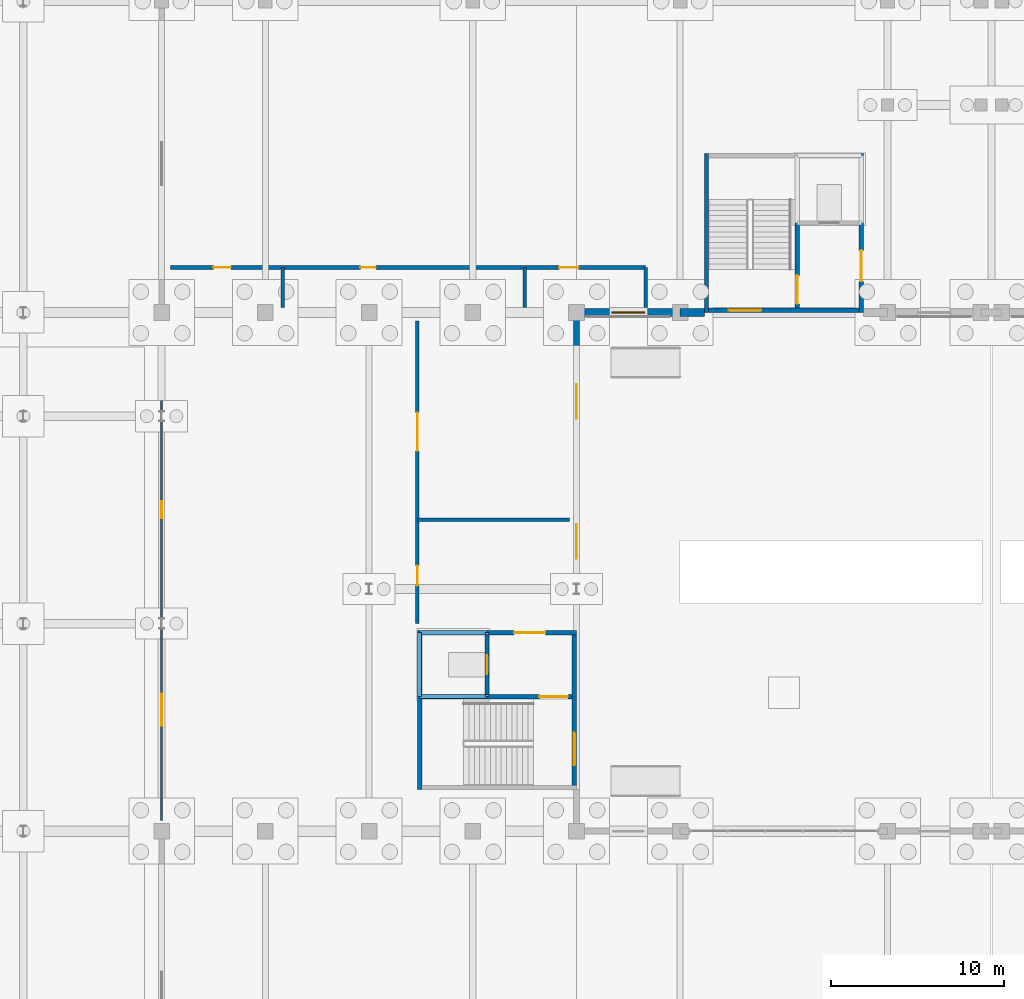
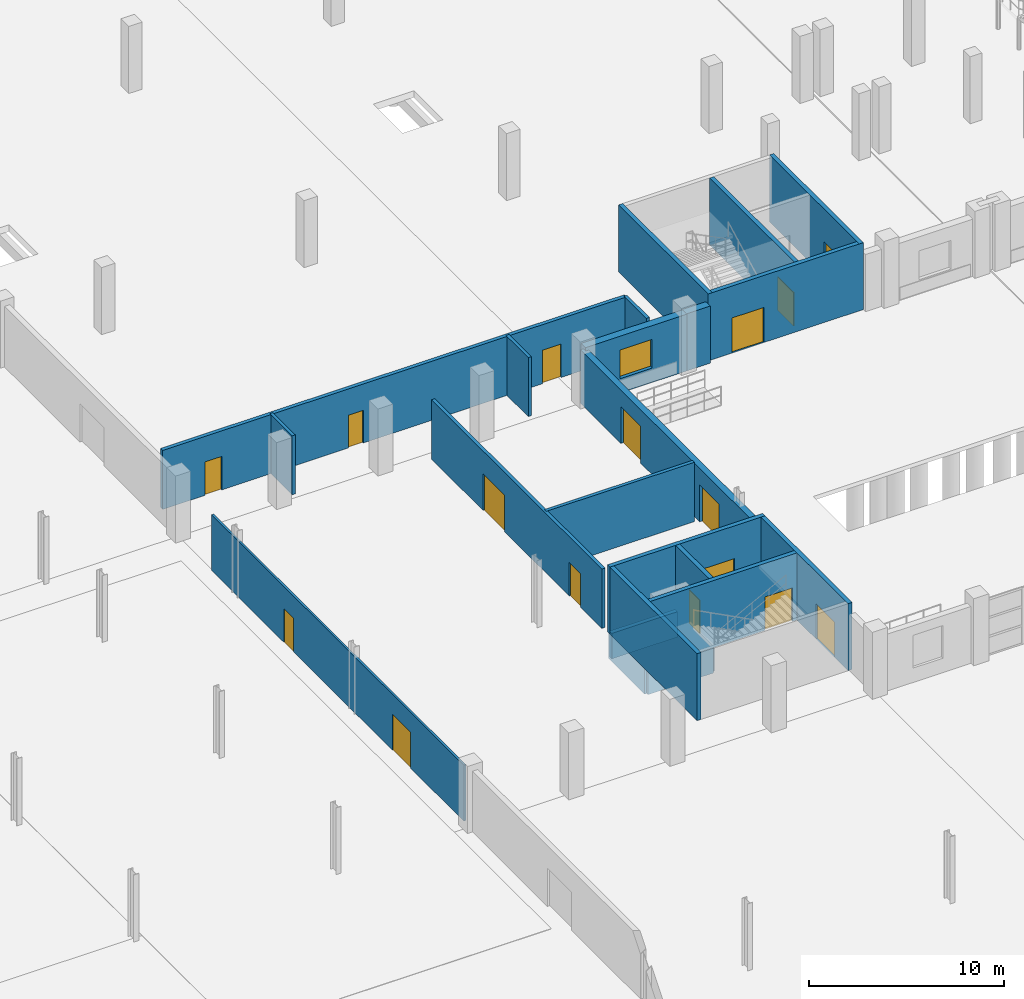
# One storey, part 57 of 77: 23 walls, 16 doors, 1 window, 17 openings.
"""IFC4 building model written with IfcOpenShell, lengths in metres."""

from ifc_helpers import new_model, si_unit, direction, frame, frame_2d, origin, place, context, subcontext, project, spatial, rectangle, extrude, material, layer, layer_set, type_object, element, fill, save


model = new_model("IFC4")

# Units and contexts
model_context = context("Model", 3, precision=1e-05, world=origin(), true_north=direction((0.0, 1.0)))
body_context = subcontext(model_context, "Body", "Model", "MODEL_VIEW")
ifc_project = project(units=[si_unit("LENGTHUNIT", "METRE"), si_unit("AREAUNIT", "SQUARE_METRE"), si_unit("VOLUMEUNIT", "CUBIC_METRE"), si_unit("PLANEANGLEUNIT", "RADIAN"), si_unit("MASSUNIT", "GRAM", prefix="KILO")], contexts=[model_context])

# Site, building, storey
site_placement = place(None, origin())
site = spatial("IfcSite", under=ifc_project, at=site_placement, CompositionType="ELEMENT")
building_placement = place(site_placement, origin())
building = spatial("IfcBuilding", under=site, at=building_placement, Name="Zilviju Railside Exhibition Hall", CompositionType="ELEMENT")
storey_placement = place(building_placement, origin())
storey = spatial("IfcBuildingStorey", under=building, at=storey_placement, Name="L01", CompositionType="ELEMENT", Elevation=0.0)

# Wall
ifc_material_1 = material(Name="Concrete C35/45", Category="concrete")
ifc_layer_1 = layer(ifc_material_1, 0.25)
ifc_layer_set_1 = layer_set([ifc_layer_1], Name="Concrete C35/45")
wall_type_1 = type_object("IfcWallType", Name="WL-CORE-250", PredefinedType="SHEAR", material=ifc_layer_set_1)
wall_1_placement = place(storey_placement, frame((109.52490234375, 84.0, 0.0), z_axis=(0.0, 0.0, 1.0), x_axis=(0.0, 1.0, 0.0)))
element("IfcWall", 1, at=wall_1_placement, inside=storey, type_object=wall_type_1, Name="Core C04 North Hall Court West Stairwell Outer Wall L01", PredefinedType="SHEAR", context=body_context, shape_type="SweptSolid", body=[
    extrude(rectangle(XDim=9.199951171875, YDim=0.25, at=frame_2d((4.60009765625, 0.0))), origin(), (0.0, 0.0, 1.0), 4.199951171875),
])

# Wall, opening, door
wall_2_placement = place(storey_placement, frame((118.47509765625, 84.0, 0.0), z_axis=(0.0, 0.0, 1.0), x_axis=(0.0, 1.0, 0.0)))
wall_2 = element("IfcWall", 2, at=wall_2_placement, inside=storey, type_object=wall_type_1, Name="Core C04 North Hall Court West Lobby Side Wall L01", PredefinedType="SHEAR", context=body_context, shape_type="SweptSolid", body=[
    extrude(rectangle(XDim=9.199951171875, YDim=0.25, at=frame_2d((4.60009765625, 0.0))), origin(), (0.0, 0.0, 1.0), 4.199951171875),
])
opening_1_placement = place(wall_2_placement, frame((1.800048828125, 0.0, 0.0)))
opening_1 = element("IfcOpeningElement", 3, at=opening_1_placement, cuts=wall_2, Name="Opening FD-02", PredefinedType="OPENING", context=body_context, shape_type="SweptSolid", body=[
    extrude(rectangle(XDim=1.800048828125, YDim=2.14990234375, at=frame_2d((0.89990234375, 1.074951171875))), frame((0.0, 0.135009765625, 0.0), z_axis=(0.0, -1.0, 0.0), x_axis=(1.0, 0.0, 0.0)), (0.0, 0.0, 1.0), 0.27001953125),
])
ifc_material_2 = material(Name="Self-closing glazed steel core lobby fire door EI 60", Category="steel")
door_type_1 = type_object("IfcDoorType", Name="DR-LOBBY-180x215", OperationType="NOTDEFINED", PredefinedType="DOOR", material=ifc_material_2)
door_1_placement = place(opening_1_placement, origin())
door_1 = element("IfcDoor", 4, at=door_1_placement, inside=storey, type_object=door_type_1, Name="Core C04 North Hall Court West Lobby Fire Door L01", OperationType="DOUBLE_DOOR_SINGLE_SWING", OverallHeight=2.14990234375, OverallWidth=1.800048828125, PredefinedType="DOOR", context=body_context, shape_type="SweptSolid", body=[
    extrude(rectangle(XDim=1.800048828125, YDim=2.14990234375, at=frame_2d((0.89990234375, 1.074951171875))), frame((0.0, 0.02490234375, 0.0), z_axis=(0.0, -1.0, 0.0), x_axis=(1.0, 0.0, 0.0)), (0.0, 0.0, 1.0), 0.050048828125),
])
fill(opening_1, door_1)

wall_3_placement = place(storey_placement, frame((114.77490234375, 84.25, 0.0), z_axis=(0.0, 0.0, 1.0), x_axis=(0.0, 1.0, 0.0)))
wall_3 = element("IfcWall", 5, at=wall_3_placement, inside=storey, type_object=wall_type_1, Name="Core C04 North Hall Court West Stairwell Partition Wall L01", PredefinedType="SHEAR", context=body_context, shape_type="SweptSolid", body=[
    extrude(rectangle(XDim=8.699951171875, YDim=0.25, at=frame_2d((4.35009765625, 0.0))), origin(), (0.0, 0.0, 1.0), 4.199951171875),
])
opening_2_placement = place(wall_3_placement, frame((0.25, 0.0, 0.0)))
opening_2 = element("IfcOpeningElement", 6, at=opening_2_placement, cuts=wall_3, Name="Opening FD-01", PredefinedType="OPENING", context=body_context, shape_type="SweptSolid", body=[
    extrude(rectangle(XDim=1.64990234375, YDim=2.10009765625, at=frame_2d((0.824951171875, 1.050048828125))), frame((0.0, 0.135009765625, 0.0), z_axis=(0.0, -1.0, 0.0), x_axis=(1.0, 0.0, 0.0)), (0.0, 0.0, 1.0), 0.27001953125),
])
ifc_material_3 = material(Name="Self-closing steel stair enclosure fire door EI 60", Category="steel")
door_type_2 = type_object("IfcDoorType", Name="DR-STAIR-165x210", OperationType="NOTDEFINED", PredefinedType="DOOR", material=ifc_material_3)
door_2_placement = place(opening_2_placement, origin())
door_2 = element("IfcDoor", 7, at=door_2_placement, inside=storey, type_object=door_type_2, Name="Core C04 North Hall Court West Protected Stair Door L01", OperationType="SINGLE_SWING_RIGHT", OverallHeight=2.10009765625, OverallWidth=1.64990234375, PredefinedType="DOOR", context=body_context, shape_type="SweptSolid", body=[
    extrude(rectangle(XDim=1.64990234375, YDim=2.10009765625, at=frame_2d((0.824951171875, 1.050048828125))), frame((0.0, 0.02490234375, 0.0), z_axis=(0.0, -1.0, 0.0), x_axis=(1.0, 0.0, 0.0)), (0.0, 0.0, 1.0), 0.050048828125),
])
fill(opening_2, door_2)

# Wall
wall_4_placement = place(storey_placement, frame((92.925048828125, 56.39990234375, 0.0), z_axis=(0.0, 0.0, 1.0), x_axis=(0.0, 1.0, 0.0)))
element("IfcWall", 8, at=wall_4_placement, inside=storey, type_object=wall_type_1, Name="Core C10 Winter Concourse Court Core Rear Wall L01", PredefinedType="SHEAR", context=body_context, shape_type="SweptSolid", body=[
    extrude(rectangle(XDim=9.2001953125, YDim=0.25, at=frame_2d((4.60009765625, 0.0))), origin(), (0.0, 0.0, 1.0), 4.199951171875),
])

# Wall, opening, door
wall_5_placement = place(storey_placement, frame((102.0, 65.47509765625, 0.0), z_axis=(0.0, 0.0, 1.0), x_axis=(-1.0, 0.0, 0.0)))
wall_5 = element("IfcWall", 9, at=wall_5_placement, inside=storey, type_object=wall_type_1, Name="Core C10 Winter Concourse Court Lobby Side Wall L01", PredefinedType="SHEAR", context=body_context, shape_type="SweptSolid", body=[
    extrude(rectangle(XDim=9.199951171875, YDim=0.25, at=frame_2d((4.60009765625, 0.0))), origin(), (0.0, 0.0, 1.0), 4.199951171875),
])
opening_3_placement = place(wall_5_placement, frame((1.800048828125, 0.0, 0.0)))
opening_3 = element("IfcOpeningElement", 10, at=opening_3_placement, cuts=wall_5, Name="Opening FD-02", PredefinedType="OPENING", context=body_context, shape_type="SweptSolid", body=[
    extrude(rectangle(XDim=1.800048828125, YDim=2.14990234375, at=frame_2d((0.89990234375, 1.074951171875))), frame((0.0, 0.135009765625, 0.0), z_axis=(0.0, -1.0, 0.0), x_axis=(1.0, 0.0, 0.0)), (0.0, 0.0, 1.0), 0.27001953125),
])
door_3_placement = place(opening_3_placement, origin())
door_3 = element("IfcDoor", 11, at=door_3_placement, inside=storey, type_object=door_type_1, Name="Core C10 Winter Concourse Court Lobby Fire Door L01", OperationType="DOUBLE_DOOR_SINGLE_SWING", OverallHeight=2.14990234375, OverallWidth=1.800048828125, PredefinedType="DOOR", context=body_context, shape_type="SweptSolid", body=[
    extrude(rectangle(XDim=1.800048828125, YDim=2.14990234375, at=frame_2d((0.89990234375, 1.074951171875))), frame((0.0, 0.02490234375, 0.0), z_axis=(0.0, -1.0, 0.0), x_axis=(1.0, 0.0, 0.0)), (0.0, 0.0, 1.0), 0.050048828125),
])
fill(opening_3, door_3)

wall_6_placement = place(storey_placement, frame((101.75, 61.77490234375, 0.0), z_axis=(0.0, 0.0, 1.0), x_axis=(-1.0, 0.0, 0.0)))
wall_6 = element("IfcWall", 12, at=wall_6_placement, inside=storey, type_object=wall_type_1, Name="Core C10 Winter Concourse Court Stairwell Partition Wall L01", PredefinedType="SHEAR", context=body_context, shape_type="SweptSolid", body=[
    extrude(rectangle(XDim=8.699951171875, YDim=0.25, at=frame_2d((4.35009765625, 0.0))), origin(), (0.0, 0.0, 1.0), 4.199951171875),
])
opening_4_placement = place(wall_6_placement, frame((0.25, 0.0, 0.0)))
opening_4 = element("IfcOpeningElement", 13, at=opening_4_placement, cuts=wall_6, Name="Opening FD-01", PredefinedType="OPENING", context=body_context, shape_type="SweptSolid", body=[
    extrude(rectangle(XDim=1.64990234375, YDim=2.10009765625, at=frame_2d((0.824951171875, 1.050048828125))), frame((0.0, 0.135009765625, 0.0), z_axis=(0.0, -1.0, 0.0), x_axis=(1.0, 0.0, 0.0)), (0.0, 0.0, 1.0), 0.27001953125),
])
door_4_placement = place(opening_4_placement, origin())
door_4 = element("IfcDoor", 14, at=door_4_placement, inside=storey, type_object=door_type_2, Name="Core C10 Winter Concourse Court Protected Stair Door L01", OperationType="SINGLE_SWING_RIGHT", OverallHeight=2.10009765625, OverallWidth=1.64990234375, PredefinedType="DOOR", context=body_context, shape_type="SweptSolid", body=[
    extrude(rectangle(XDim=1.64990234375, YDim=2.10009765625, at=frame_2d((0.824951171875, 1.050048828125))), frame((0.0, 0.02490234375, 0.0), z_axis=(0.0, -1.0, 0.0), x_axis=(1.0, 0.0, 0.0)), (0.0, 0.0, 1.0), 0.050048828125),
])
fill(opening_4, door_4)

wall_7_placement = place(storey_placement, frame((96.824951171875, 61.89990234375, 0.0), z_axis=(0.0, 0.0, 1.0), x_axis=(0.0, 1.0, 0.0)))
wall_7 = element("IfcWall", 15, at=wall_7_placement, inside=storey, type_object=wall_type_1, Name="Core C10 Winter Concourse Court Lift Shaft Front Wall L01", PredefinedType="SHEAR", context=body_context, shape_type="SweptSolid", body=[
    extrude(rectangle(XDim=3.4501953125, YDim=0.25, at=frame_2d((1.72509765625, 0.0))), origin(), (0.0, 0.0, 1.0), 4.199951171875),
])
opening_5_placement = place(wall_7_placement, frame((1.175048828125, 0.0, 0.0)))
opening_5 = element("IfcOpeningElement", 16, at=opening_5_placement, cuts=wall_7, Name="Opening LD-01", PredefinedType="OPENING", context=body_context, shape_type="SweptSolid", body=[
    extrude(rectangle(XDim=1.10009765625, YDim=2.10009765625, at=frame_2d((0.550048828125, 1.050048828125))), frame((0.0, 0.135009765625, 0.0), z_axis=(0.0, -1.0, 0.0), x_axis=(1.0, 0.0, 0.0)), (0.0, 0.0, 1.0), 0.27001953125),
])
ifc_material_4 = material(Name="Passenger lift sliding landing door EI 60", Category="wood")
door_type_3 = type_object("IfcDoorType", Name="DR-LIFT-110x210", OperationType="NOTDEFINED", PredefinedType="DOOR", material=ifc_material_4)
door_5_placement = place(opening_5_placement, origin())
door_5 = element("IfcDoor", 17, at=door_5_placement, inside=storey, type_object=door_type_3, Name="Lift Landing Door LP-04 L01", OperationType="SLIDING_TO_RIGHT", OverallHeight=2.10009765625, OverallWidth=1.10009765625, PredefinedType="DOOR", context=body_context, shape_type="SweptSolid", body=[
    extrude(rectangle(XDim=1.10009765625, YDim=2.10009765625, at=frame_2d((0.550048828125, 1.050048828125))), frame((0.0, 0.02490234375, 0.0), z_axis=(0.0, -1.0, 0.0), x_axis=(1.0, 0.0, 0.0)), (0.0, 0.0, 1.0), 0.050048828125),
])
fill(opening_5, door_5)

ifc_material_5 = material(Name="Concrete C40/50", Category="concrete")
ifc_layer_2 = layer(ifc_material_5, 0.25)
ifc_layer_set_2 = layer_set([ifc_layer_2], Name="Concrete C40/50")
wall_type_2 = type_object("IfcWallType", Name="WL-CORE-300", PredefinedType="SHEAR", material=ifc_layer_set_2)
wall_8_placement = place(storey_placement, frame((118.60009765625, 84.125, 0.0), z_axis=(0.0, 0.0, 1.0), x_axis=(-1.0, 0.0, 0.0)))
wall_8 = element("IfcWall", 18, at=wall_8_placement, inside=storey, type_object=wall_type_2, Name="Core C04 North Hall Court West Exterior Core Wall L01", PredefinedType="SHEAR", context=body_context, shape_type="SweptSolid", body=[
    extrude(rectangle(XDim=9.2001953125, YDim=0.25, at=frame_2d((4.60009765625, 0.0))), origin(), (0.0, 0.0, 1.0), 4.199951171875),
])
opening_6_placement = place(wall_8_placement, frame((5.89990234375, 0.0, 0.0)))
opening_6 = element("IfcOpeningElement", 19, at=opening_6_placement, cuts=wall_8, Name="Opening ED-02", PredefinedType="OPENING", context=body_context, shape_type="SweptSolid", body=[
    extrude(rectangle(XDim=1.89990234375, YDim=2.199951171875, at=frame_2d((0.949951171875, 1.10009765625))), frame((0.0, 0.135009765625, 0.0), z_axis=(0.0, -1.0, 0.0), x_axis=(1.0, 0.0, 0.0)), (0.0, 0.0, 1.0), 0.27001953125),
])
ifc_material_6 = material(Name="Insulated aluminium stair discharge door", Category="aluminium")
door_type_4 = type_object("IfcDoorType", Name="DR-EXT-EXIT-190x220", OperationType="NOTDEFINED", PredefinedType="DOOR", material=ifc_material_6)
door_6_placement = place(opening_6_placement, origin())
door_6 = element("IfcDoor", 20, at=door_6_placement, inside=storey, type_object=door_type_4, Name="Core C04 North Hall Court West Exit Stair Discharge Door ED-C04", OperationType="DOUBLE_DOOR_SINGLE_SWING", OverallHeight=2.199951171875, OverallWidth=1.89990234375, PredefinedType="DOOR", context=body_context, shape_type="SweptSolid", body=[
    extrude(rectangle(XDim=1.89990234375, YDim=2.199951171875, at=frame_2d((0.949951171875, 1.10009765625))), frame((0.0, 0.02490234375, 0.0), z_axis=(0.0, -1.0, 0.0), x_axis=(1.0, 0.0, 0.0)), (0.0, 0.0, 1.0), 0.050048828125),
])
fill(opening_6, door_6)

# Walls
wall_9_placement = place(storey_placement, frame((96.820068359375, 61.780029296875, -1.60009765625), z_axis=(0.0, 0.0, 1.0), x_axis=(0.0, 1.0, 0.0)))
element("IfcWall", 21, at=wall_9_placement, inside=storey, type_object=wall_type_2, Name="Core C10 Winter Concourse Court Lift Pit Wall 1", PredefinedType="SHEAR", context=body_context, shape_type="SweptSolid", body=[
    extrude(rectangle(XDim=3.699951171875, YDim=0.25, at=frame_2d((1.85009765625, 0.0))), origin(), (0.0, 0.0, 1.0), 1.60009765625),
])
wall_10_placement = place(storey_placement, frame((96.820068359375, 65.47998046875, -1.60009765625), z_axis=(0.0, 0.0, 1.0), x_axis=(-1.0, 0.0, 0.0)))
element("IfcWall", 22, at=wall_10_placement, inside=storey, type_object=wall_type_2, Name="Core C10 Winter Concourse Court Lift Pit Wall 2", PredefinedType="SHEAR", context=body_context, shape_type="SweptSolid", body=[
    extrude(rectangle(XDim=3.900146484375, YDim=0.25, at=frame_2d((1.9501953125, 0.0))), origin(), (0.0, 0.0, 1.0), 1.60009765625),
])
wall_11_placement = place(storey_placement, frame((92.919921875, 65.47998046875, -1.60009765625), z_axis=(0.0, 0.0, 1.0), x_axis=(0.0, -1.0, 0.0)))
element("IfcWall", 23, at=wall_11_placement, inside=storey, type_object=wall_type_2, Name="Core C10 Winter Concourse Court Lift Pit Wall 3", PredefinedType="SHEAR", context=body_context, shape_type="SweptSolid", body=[
    extrude(rectangle(XDim=3.699951171875, YDim=0.25, at=frame_2d((1.85009765625, 0.0))), origin(), (0.0, 0.0, 1.0), 1.60009765625),
])
wall_12_placement = place(storey_placement, frame((92.919921875, 61.780029296875, -1.60009765625), z_axis=(0.0, 0.0, 1.0), x_axis=(1.0, 0.0, 0.0)))
element("IfcWall", 24, at=wall_12_placement, inside=storey, type_object=wall_type_2, Name="Core C10 Winter Concourse Court Lift Pit Wall 4", PredefinedType="SHEAR", context=body_context, shape_type="SweptSolid", body=[
    extrude(rectangle(XDim=3.900146484375, YDim=0.25, at=frame_2d((1.9501953125, 0.0))), origin(), (0.0, 0.0, 1.0), 1.60009765625),
])

# Wall, opening, door
wall_13_placement = place(storey_placement, frame((101.875, 65.60009765625, 0.0), z_axis=(0.0, 0.0, 1.0), x_axis=(0.0, -1.0, 0.0)))
wall_13 = element("IfcWall", 25, at=wall_13_placement, inside=storey, type_object=wall_type_2, Name="Core C10 Winter Concourse Court Exterior Core Wall L01", PredefinedType="SHEAR", context=body_context, shape_type="SweptSolid", body=[
    extrude(rectangle(XDim=9.2001953125, YDim=0.25, at=frame_2d((4.60009765625, 0.0))), origin(), (0.0, 0.0, 1.0), 4.199951171875),
])
opening_7_placement = place(wall_13_placement, frame((5.89990234375, 0.0, 0.0)))
opening_7 = element("IfcOpeningElement", 26, at=opening_7_placement, cuts=wall_13, Name="Opening ED-02", PredefinedType="OPENING", context=body_context, shape_type="SweptSolid", body=[
    extrude(rectangle(XDim=1.89990234375, YDim=2.199951171875, at=frame_2d((0.949951171875, 1.10009765625))), frame((0.0, 0.135009765625, 0.0), z_axis=(0.0, -1.0, 0.0), x_axis=(1.0, 0.0, 0.0)), (0.0, 0.0, 1.0), 0.27001953125),
])
door_7_placement = place(opening_7_placement, origin())
door_7 = element("IfcDoor", 27, at=door_7_placement, inside=storey, type_object=door_type_4, Name="Core C10 Winter Concourse Court Exit Stair Discharge Door ED-C10", OperationType="DOUBLE_DOOR_SINGLE_SWING", OverallHeight=2.199951171875, OverallWidth=1.89990234375, PredefinedType="DOOR", context=body_context, shape_type="SweptSolid", body=[
    extrude(rectangle(XDim=1.89990234375, YDim=2.199951171875, at=frame_2d((0.949951171875, 1.10009765625))), frame((0.0, 0.02490234375, 0.0), z_axis=(0.0, -1.0, 0.0), x_axis=(1.0, 0.0, 0.0)), (0.0, 0.0, 1.0), 0.050048828125),
])
fill(opening_7, door_7)

# Wall, openings, doors
ifc_material_7 = material(Name="Insulated courtyard masonry wall", Category="masonry")
ifc_layer_3 = layer(ifc_material_7, 0.360107421875)
ifc_layer_set_3 = layer_set([ifc_layer_3], Name="Insulated courtyard masonry wall")
wall_type_3 = type_object("IfcWallType", Name="WL-EXT-360", PredefinedType="SOLIDWALL", material=ifc_layer_set_3)
wall_14_placement = place(storey_placement, frame((102.0, 84.0, 0.0), z_axis=(0.0, 0.0, 1.0), x_axis=(0.0, -1.0, 0.0)))
wall_14 = element("IfcWall", 28, at=wall_14_placement, inside=storey, type_object=wall_type_3, Name="Exterior Facade Wall L01 East 0400", PredefinedType="SOLIDWALL", context=body_context, shape_type="SweptSolid", body=[
    extrude(rectangle(XDim=18.39990234375, YDim=0.360107421875, at=frame_2d((9.199951171875, 0.0))), origin(), (0.0, 0.0, 1.0), 3.35009765625),
])
opening_8_placement = place(wall_14_placement, frame((4.152099609375, 0.0, 0.0)))
opening_8 = element("IfcOpeningElement", 29, at=opening_8_placement, cuts=wall_14, Name="Opening ED-01", PredefinedType="OPENING", context=body_context, shape_type="SweptSolid", body=[
    extrude(rectangle(XDim=2.0, YDim=2.300048828125, at=frame_2d((1.0, 1.14990234375))), frame((0.0, 0.18994140625, 0.0), z_axis=(0.0, -1.0, 0.0), x_axis=(1.0, 0.0, 0.0)), (0.0, 0.0, 1.0), 0.380126953125),
])
opening_9_placement = place(wall_14_placement, frame((12.248046875, 0.0, 0.0)))
opening_9 = element("IfcOpeningElement", 30, at=opening_9_placement, cuts=wall_14, Name="Opening ED-01", PredefinedType="OPENING", context=body_context, shape_type="SweptSolid", body=[
    extrude(rectangle(XDim=2.0, YDim=2.300048828125, at=frame_2d((1.0, 1.14990234375))), frame((0.0, 0.18994140625, 0.0), z_axis=(0.0, -1.0, 0.0), x_axis=(1.0, 0.0, 0.0)), (0.0, 0.0, 1.0), 0.380126953125),
])
ifc_material_8 = material(Name="Insulated bronze-clad aluminium exit door", Category="aluminium")
door_type_5 = type_object("IfcDoorType", Name="DR-EXT-EXIT-200x230", OperationType="NOTDEFINED", PredefinedType="DOOR", material=ifc_material_8)
door_8_placement = place(opening_8_placement, origin())
door_8 = element("IfcDoor", 31, at=door_8_placement, inside=storey, type_object=door_type_5, Name="Concourse Water Court Garden Exit Door ED-COURT-01", OperationType="DOUBLE_DOOR_SINGLE_SWING", OverallHeight=2.300048828125, OverallWidth=2.0, PredefinedType="DOOR", context=body_context, shape_type="SweptSolid", body=[
    extrude(rectangle(XDim=2.0, YDim=2.300048828125, at=frame_2d((1.0, 1.14990234375))), frame((0.0, 0.02490234375, 0.0), z_axis=(0.0, -1.0, 0.0), x_axis=(1.0, 0.0, 0.0)), (0.0, 0.0, 1.0), 0.050048828125),
])
fill(opening_8, door_8)
door_9_placement = place(opening_9_placement, origin())
door_9 = element("IfcDoor", 32, at=door_9_placement, inside=storey, type_object=door_type_5, Name="Concourse Water Court Garden Exit Door ED-COURT-01", OperationType="DOUBLE_DOOR_SINGLE_SWING", OverallHeight=2.300048828125, OverallWidth=2.0, PredefinedType="DOOR", context=body_context, shape_type="SweptSolid", body=[
    extrude(rectangle(XDim=2.0, YDim=2.300048828125, at=frame_2d((1.0, 1.14990234375))), frame((0.0, 0.02490234375, 0.0), z_axis=(0.0, -1.0, 0.0), x_axis=(1.0, 0.0, 0.0)), (0.0, 0.0, 1.0), 0.050048828125),
])
fill(opening_9, door_9)

# Wall, opening, window
ifc_material_9 = material(Name="Insulated Staburags travertine masonry wall", Category="masonry")
ifc_layer_4 = layer(ifc_material_9, 0.449951171875)
ifc_layer_set_4 = layer_set([ifc_layer_4], Name="Insulated Staburags travertine masonry wall")
wall_type_4 = type_object("IfcWallType", Name="WL-EXT-450", PredefinedType="SOLIDWALL", material=ifc_layer_set_4)
wall_15_placement = place(storey_placement, frame((108.0, 84.0, 0.0), z_axis=(0.0, 0.0, 1.0), x_axis=(-1.0, 0.0, 0.0)))
wall_15 = element("IfcWall", 33, at=wall_15_placement, inside=storey, type_object=wall_type_4, Name="Exterior Facade Wall L01 South 0159", PredefinedType="SOLIDWALL", context=body_context, shape_type="SweptSolid", body=[
    extrude(rectangle(XDim=6.0, YDim=0.449951171875, at=frame_2d((3.0, 0.0))), origin(), (0.0, 0.0, 1.0), 3.56005859375),
])
opening_10_placement = place(wall_15_placement, frame((2.050048828125, 0.0, 0.89990234375)))
opening_10 = element("IfcOpeningElement", 34, at=opening_10_placement, cuts=wall_15, Name="Opening WN-19", PredefinedType="OPENING", context=body_context, shape_type="SweptSolid", body=[
    extrude(rectangle(XDim=1.89990234375, YDim=1.800048828125, at=frame_2d((0.949951171875, 0.89990234375))), frame((0.0, 0.23486328125, 0.0), z_axis=(0.0, -1.0, 0.0), x_axis=(1.0, 0.0, 0.0)), (0.0, 0.0, 1.0), 0.469970703125),
])
ifc_material_10 = material(Name="Triple-glazed timber-aluminium window unit", Category="wood")
window_type = type_object("IfcWindowType", Name="WIN-JUG-190x180", PartitioningType="DOUBLE_PANEL_VERTICAL", PredefinedType="WINDOW", material=ifc_material_10)
window_placement = place(opening_10_placement, origin())
window = element("IfcWindow", 35, at=window_placement, inside=storey, type_object=window_type, Name="Facade Window L01 WN-0011", OverallHeight=1.800048828125, OverallWidth=1.89990234375, PartitioningType="SINGLE_PANEL", PredefinedType="WINDOW", context=body_context, shape_type="SweptSolid", body=[
    extrude(rectangle(XDim=1.89990234375, YDim=1.800048828125, at=frame_2d((0.949951171875, 0.89990234375))), frame((0.0, 0.030029296875, 0.0), z_axis=(0.0, -1.0, 0.0), x_axis=(1.0, 0.0, 0.0)), (0.0, 0.0, 1.0), 0.06005859375),
])
fill(opening_10, window)

# Wall
wall_16_placement = place(storey_placement, frame((109.39990234375, 84.0, 0.0), z_axis=(0.0, 0.0, 1.0), x_axis=(-1.0, 0.0, 0.0)))
element("IfcWall", 36, at=wall_16_placement, inside=storey, type_object=wall_type_4, Name="Exterior Facade Wall L01 South 0160", PredefinedType="SOLIDWALL", context=body_context, shape_type="SweptSolid", body=[
    extrude(rectangle(XDim=1.39990234375, YDim=0.449951171875, at=frame_2d((0.699951171875, 0.0))), origin(), (0.0, 0.0, 1.0), 3.580078125),
])

# Wall, openings, doors
ifc_material_11 = material(Name="Retail and cloakroom partition wall", Category="masonry")
ifc_layer_5 = layer(ifc_material_11, 0.1201171875)
ifc_layer_set_5 = layer_set([ifc_layer_5], Name="Retail and cloakroom partition wall")
wall_type_5 = type_object("IfcWallType", Name="WL-PART-120", PredefinedType="PARTITIONING", material=ifc_layer_set_5)
wall_17_placement = place(storey_placement, frame((78.0, 54.60009765625, 0.0), z_axis=(0.0, 0.0, 1.0), x_axis=(0.0, 1.0, 0.0)))
wall_17 = element("IfcWall", 37, at=wall_17_placement, inside=storey, type_object=wall_type_5, Name="Bookstore Concourse Front Partition", PredefinedType="PARTITIONING", context=body_context, shape_type="SweptSolid", body=[
    extrude(rectangle(XDim=25.89990234375, YDim=0.1201171875, at=frame_2d((12.949951171875, 0.0))), origin(), (0.0, 0.0, 1.0), 3.5),
])
opening_11_placement = place(wall_17_placement, frame((5.5, 0.0, 0.0)))
opening_11 = element("IfcOpeningElement", 38, at=opening_11_placement, cuts=wall_17, Name="Opening ID-05", PredefinedType="OPENING", context=body_context, shape_type="SweptSolid", body=[
    extrude(rectangle(XDim=1.85009765625, YDim=2.25, at=frame_2d((0.925048828125, 1.125))), frame((0.0, 0.070068359375, 0.0), z_axis=(0.0, -1.0, 0.0), x_axis=(1.0, 0.0, 0.0)), (0.0, 0.0, 1.0), 0.14013671875),
])
opening_12_placement = place(wall_17_placement, frame((17.5, 0.0, 0.0)))
opening_12 = element("IfcOpeningElement", 39, at=opening_12_placement, cuts=wall_17, Name="Opening ID-03", PredefinedType="OPENING", context=body_context, shape_type="SweptSolid", body=[
    extrude(rectangle(XDim=0.97998046875, YDim=2.10009765625, at=frame_2d((0.489990234375, 1.050048828125))), frame((0.0, 0.070068359375, 0.0), z_axis=(0.0, -1.0, 0.0), x_axis=(1.0, 0.0, 0.0)), (0.0, 0.0, 1.0), 0.14013671875),
])
ifc_material_12 = material(Name="Oak veneer administration single door", Category="wood")
door_type_6 = type_object("IfcDoorType", Name="DR-OFF-098x210", OperationType="NOTDEFINED", PredefinedType="DOOR", material=ifc_material_12)
door_10_placement = place(opening_12_placement, origin())
door_10 = element("IfcDoor", 40, at=door_10_placement, inside=storey, type_object=door_type_6, Name="Gift Shop South Door", OperationType="SINGLE_SWING_LEFT", OverallHeight=2.10009765625, OverallWidth=0.97998046875, PredefinedType="DOOR", context=body_context, shape_type="SweptSolid", body=[
    extrude(rectangle(XDim=0.97998046875, YDim=2.10009765625, at=frame_2d((0.489990234375, 1.050048828125))), frame((0.0, 0.02490234375, 0.0), z_axis=(0.0, -1.0, 0.0), x_axis=(1.0, 0.0, 0.0)), (0.0, 0.0, 1.0), 0.050048828125),
])
fill(opening_12, door_10)
ifc_material_13 = material(Name="Glazed oak bookstore & bistro double door", Category="wood")
door_type_7 = type_object("IfcDoorType", Name="DR-RET-185x225", OperationType="NOTDEFINED", PredefinedType="DOOR", material=ifc_material_13)
door_11_placement = place(opening_11_placement, origin())
door_11 = element("IfcDoor", 41, at=door_11_placement, inside=storey, type_object=door_type_7, Name="Fair Bookstore Entry Door", OperationType="DOUBLE_DOOR_SINGLE_SWING", OverallHeight=2.25, OverallWidth=1.85009765625, PredefinedType="DOOR", context=body_context, shape_type="SweptSolid", body=[
    extrude(rectangle(XDim=1.85009765625, YDim=2.25, at=frame_2d((0.925048828125, 1.125))), frame((0.0, 0.02490234375, 0.0), z_axis=(0.0, -1.0, 0.0), x_axis=(1.0, 0.0, 0.0)), (0.0, 0.0, 1.0), 0.050048828125),
])
fill(opening_11, door_11)

ifc_material_14 = material(Name="Double-stud acoustic gypsum partition wall", Category="masonry")
ifc_layer_6 = layer(ifc_material_14, 0.199951171875)
ifc_layer_set_6 = layer_set([ifc_layer_6], Name="Double-stud acoustic gypsum partition wall")
wall_type_6 = type_object("IfcWallType", Name="WL-PART-200", PredefinedType="PARTITIONING", material=ifc_layer_set_6)
wall_18_placement = place(storey_placement, frame((92.800048828125, 66.0, 0.0), z_axis=(0.0, 0.0, 1.0), x_axis=(0.0, 1.0, 0.0)))
wall_18 = element("IfcWall", 42, at=wall_18_placement, inside=storey, type_object=wall_type_6, Name="Fire Command & Court Lobby Wall", PredefinedType="PARTITIONING", context=body_context, shape_type="SweptSolid", body=[
    extrude(rectangle(XDim=17.5, YDim=0.199951171875, at=frame_2d((8.75, 0.0))), origin(), (0.0, 0.0, 1.0), 3.719970703125),
])
opening_13_placement = place(wall_18_placement, frame((2.199951171875, 0.0, 0.0)))
opening_13 = element("IfcOpeningElement", 43, at=opening_13_placement, cuts=wall_18, Name="Opening FD-07", PredefinedType="OPENING", context=body_context, shape_type="SweptSolid", body=[
    extrude(rectangle(XDim=1.14990234375, YDim=2.10009765625, at=frame_2d((0.574951171875, 1.050048828125))), frame((0.0, 0.10986328125, 0.0), z_axis=(0.0, -1.0, 0.0), x_axis=(1.0, 0.0, 0.0)), (0.0, 0.0, 1.0), 0.219970703125),
])
opening_14_placement = place(wall_18_placement, frame((10.0, 0.0, 0.0)))
opening_14 = element("IfcOpeningElement", 44, at=opening_14_placement, cuts=wall_18, Name="Opening FD-03", PredefinedType="OPENING", context=body_context, shape_type="SweptSolid", body=[
    extrude(rectangle(XDim=2.199951171875, YDim=2.300048828125, at=frame_2d((1.10009765625, 1.14990234375))), frame((0.0, 0.10986328125, 0.0), z_axis=(0.0, -1.0, 0.0), x_axis=(1.0, 0.0, 0.0)), (0.0, 0.0, 1.0), 0.219970703125),
])
ifc_material_15 = material(Name="Hold-open double compartment fire door EI 60", Category="wood")
door_type_8 = type_object("IfcDoorType", Name="DR-COMP-220x230", OperationType="NOTDEFINED", PredefinedType="DOOR", material=ifc_material_15)
door_12_placement = place(opening_14_placement, origin())
door_12 = element("IfcDoor", 45, at=door_12_placement, inside=storey, type_object=door_type_8, Name="Court Lobby Inner Fire Door", OperationType="DOUBLE_DOOR_SINGLE_SWING", OverallHeight=2.300048828125, OverallWidth=2.199951171875, PredefinedType="DOOR", context=body_context, shape_type="SweptSolid", body=[
    extrude(rectangle(XDim=2.199951171875, YDim=2.300048828125, at=frame_2d((1.10009765625, 1.14990234375))), frame((0.0, 0.02490234375, 0.0), z_axis=(0.0, -1.0, 0.0), x_axis=(1.0, 0.0, 0.0)), (0.0, 0.0, 1.0), 0.050048828125),
])
fill(opening_14, door_12)
ifc_material_16 = material(Name="Fire command room steel door EI 60", Category="steel")
door_type_9 = type_object("IfcDoorType", Name="DR-FCR-115x210", OperationType="NOTDEFINED", PredefinedType="DOOR", material=ifc_material_16)
door_13_placement = place(opening_13_placement, origin())
door_13 = element("IfcDoor", 46, at=door_13_placement, inside=storey, type_object=door_type_9, Name="Fire Command Room Door", OperationType="SINGLE_SWING_RIGHT", OverallHeight=2.10009765625, OverallWidth=1.14990234375, PredefinedType="DOOR", context=body_context, shape_type="SweptSolid", body=[
    extrude(rectangle(XDim=1.14990234375, YDim=2.10009765625, at=frame_2d((0.574951171875, 1.050048828125))), frame((0.0, 0.02490234375, 0.0), z_axis=(0.0, -1.0, 0.0), x_axis=(1.0, 0.0, 0.0)), (0.0, 0.0, 1.0), 0.050048828125),
])
fill(opening_13, door_13)

# Walls
wall_19_placement = place(storey_placement, frame((92.800048828125, 72.0, 0.0), z_axis=(0.0, 0.0, 1.0), x_axis=(1.0, 0.0, 0.0)))
element("IfcWall", 47, at=wall_19_placement, inside=storey, type_object=wall_type_6, Name="Fire Command North Wall", PredefinedType="PARTITIONING", context=body_context, shape_type="SweptSolid", body=[
    extrude(rectangle(XDim=8.800048828125, YDim=0.199951171875, at=frame_2d((4.39990234375, 0.0))), origin(), (0.0, 0.0, 1.0), 3.719970703125),
])
ifc_material_17 = material(Name="Accessible WC sanitary chase wall", Category="masonry")
ifc_layer_7 = layer(ifc_material_17, 0.18994140625)
ifc_layer_set_7 = layer_set([ifc_layer_7], Name="Accessible WC sanitary chase wall")
wall_type_7 = type_object("IfcWallType", Name="WL-PLMB-190", PredefinedType="PLUMBINGWALL", material=ifc_layer_set_7)
for number, where, z_axis, x_axis, name in (
    (48, (85.0, 84.300048828125, 0.0), (0.0, 0.0, 1.0), (0.0, 1.0, 0.0), "North Hall Sanitary Cross Partition"),
    (49, (99.0, 84.300048828125, 0.0), (0.0, 0.0, 1.0), (0.0, 1.0, 0.0), "North Hall Sanitary Cross Partition"),
    (50, (106.0, 84.300048828125, 0.0), (0.0, 0.0, 1.0), (0.0, 1.0, 0.0), "North Hall Sanitary Cross Partition"),
):
    element("IfcWall", number, at=place(storey_placement, frame(where, z_axis=z_axis, x_axis=x_axis)), inside=storey, type_object=wall_type_7, Name=name, PredefinedType="PLUMBINGWALL", context=body_context, shape_type="SweptSolid", body=[
        extrude(rectangle(XDim=2.300048828125, YDim=0.18994140625, at=frame_2d((1.14990234375, 0.0))), origin(), (0.0, 0.0, 1.0), 3.699951171875),
    ])

# Wall, openings, doors
ifc_material_18 = material(Name="Sanitary plumbing chase wall", Category="masonry")
ifc_layer_8 = layer(ifc_material_18, 0.219970703125)
ifc_layer_set_8 = layer_set([ifc_layer_8], Name="Sanitary plumbing chase wall")
wall_type_8 = type_object("IfcWallType", Name="WL-PLMB-220", PredefinedType="PLUMBINGWALL", material=ifc_layer_set_8)
wall_20_placement = place(storey_placement, frame((78.5, 86.60009765625, 0.0), z_axis=(0.0, 0.0, 1.0), x_axis=(1.0, 0.0, 0.0)))
wall_20 = element("IfcWall", 51, at=wall_20_placement, inside=storey, type_object=wall_type_8, Name="North Hall Sanitary Strip Wall", PredefinedType="PLUMBINGWALL", context=body_context, shape_type="SweptSolid", body=[
    extrude(rectangle(XDim=27.5, YDim=0.219970703125, at=frame_2d((13.75, 0.0))), origin(), (0.0, 0.0, 1.0), 3.699951171875),
])
opening_15_placement = place(wall_20_placement, frame((2.5, 0.0, 0.0)))
opening_15 = element("IfcOpeningElement", 52, at=opening_15_placement, cuts=wall_20, Name="Opening WD-01", PredefinedType="OPENING", context=body_context, shape_type="SweptSolid", body=[
    extrude(rectangle(XDim=1.0, YDim=2.10009765625, at=frame_2d((0.5, 1.050048828125))), frame((0.0, 0.119873046875, 0.0), z_axis=(0.0, -1.0, 0.0), x_axis=(1.0, 0.0, 0.0)), (0.0, 0.0, 1.0), 0.239990234375),
])
opening_16_placement = place(wall_20_placement, frame((11.0, 0.0, 0.0)))
opening_16 = element("IfcOpeningElement", 53, at=opening_16_placement, cuts=wall_20, Name="Opening WD-02", PredefinedType="OPENING", context=body_context, shape_type="SweptSolid", body=[
    extrude(rectangle(XDim=0.89990234375, YDim=2.050048828125, at=frame_2d((0.449951171875, 1.02490234375))), frame((0.0, 0.119873046875, 0.0), z_axis=(0.0, -1.0, 0.0), x_axis=(1.0, 0.0, 0.0)), (0.0, 0.0, 1.0), 0.239990234375),
])
opening_17_placement = place(wall_20_placement, frame((22.5, 0.0, 0.0)))
opening_17 = element("IfcOpeningElement", 54, at=opening_17_placement, cuts=wall_20, Name="Opening WD-03", PredefinedType="OPENING", context=body_context, shape_type="SweptSolid", body=[
    extrude(rectangle(XDim=1.1201171875, YDim=2.10009765625, at=frame_2d((0.56005859375, 1.050048828125))), frame((0.0, 0.119873046875, 0.0), z_axis=(0.0, -1.0, 0.0), x_axis=(1.0, 0.0, 0.0)), (0.0, 0.0, 1.0), 0.239990234375),
])
ifc_material_19 = material(Name="Universal hygiene room accessible door", Category="wood")
door_type_10 = type_object("IfcDoorType", Name="DR-HYG-112x210", OperationType="NOTDEFINED", PredefinedType="DOOR", material=ifc_material_19)
door_14_placement = place(opening_17_placement, origin())
door_14 = element("IfcDoor", 55, at=door_14_placement, inside=storey, type_object=door_type_10, Name="North Hall Universal Hygiene Room Door", OperationType="SINGLE_SWING_RIGHT", OverallHeight=2.10009765625, OverallWidth=1.1201171875, PredefinedType="DOOR", context=body_context, shape_type="SweptSolid", body=[
    extrude(rectangle(XDim=1.1201171875, YDim=2.10009765625, at=frame_2d((0.56005859375, 1.050048828125))), frame((0.0, 0.02490234375, 0.0), z_axis=(0.0, -1.0, 0.0), x_axis=(1.0, 0.0, 0.0)), (0.0, 0.0, 1.0), 0.050048828125),
])
fill(opening_17, door_14)
ifc_material_20 = material(Name="Accessible WC outward-opening door", Category="wood")
door_type_11 = type_object("IfcDoorType", Name="DR-WC-ACC-100x210", OperationType="NOTDEFINED", PredefinedType="DOOR", material=ifc_material_20)
door_15_placement = place(opening_15_placement, origin())
door_15 = element("IfcDoor", 56, at=door_15_placement, inside=storey, type_object=door_type_11, Name="North Hall Accessible WC Door", OperationType="SINGLE_SWING_RIGHT", OverallHeight=2.10009765625, OverallWidth=1.0, PredefinedType="DOOR", context=body_context, shape_type="SweptSolid", body=[
    extrude(rectangle(XDim=1.0, YDim=2.10009765625, at=frame_2d((0.5, 1.050048828125))), frame((0.0, 0.02490234375, 0.0), z_axis=(0.0, -1.0, 0.0), x_axis=(1.0, 0.0, 0.0)), (0.0, 0.0, 1.0), 0.050048828125),
])
fill(opening_15, door_15)
ifc_material_21 = material(Name="Sanitary washroom timber door", Category="wood")
door_type_12 = type_object("IfcDoorType", Name="DR-WC-STD-090x205", OperationType="NOTDEFINED", PredefinedType="DOOR", material=ifc_material_21)
door_16_placement = place(opening_16_placement, origin())
door_16 = element("IfcDoor", 57, at=door_16_placement, inside=storey, type_object=door_type_12, Name="North Hall Public Toilets Door", OperationType="SINGLE_SWING_LEFT", OverallHeight=2.050048828125, OverallWidth=0.89990234375, PredefinedType="DOOR", context=body_context, shape_type="SweptSolid", body=[
    extrude(rectangle(XDim=0.89990234375, YDim=2.050048828125, at=frame_2d((0.449951171875, 1.02490234375))), frame((0.0, 0.02490234375, 0.0), z_axis=(0.0, -1.0, 0.0), x_axis=(1.0, 0.0, 0.0)), (0.0, 0.0, 1.0), 0.050048828125),
])
fill(opening_16, door_16)

save(model, "model.ifc")
